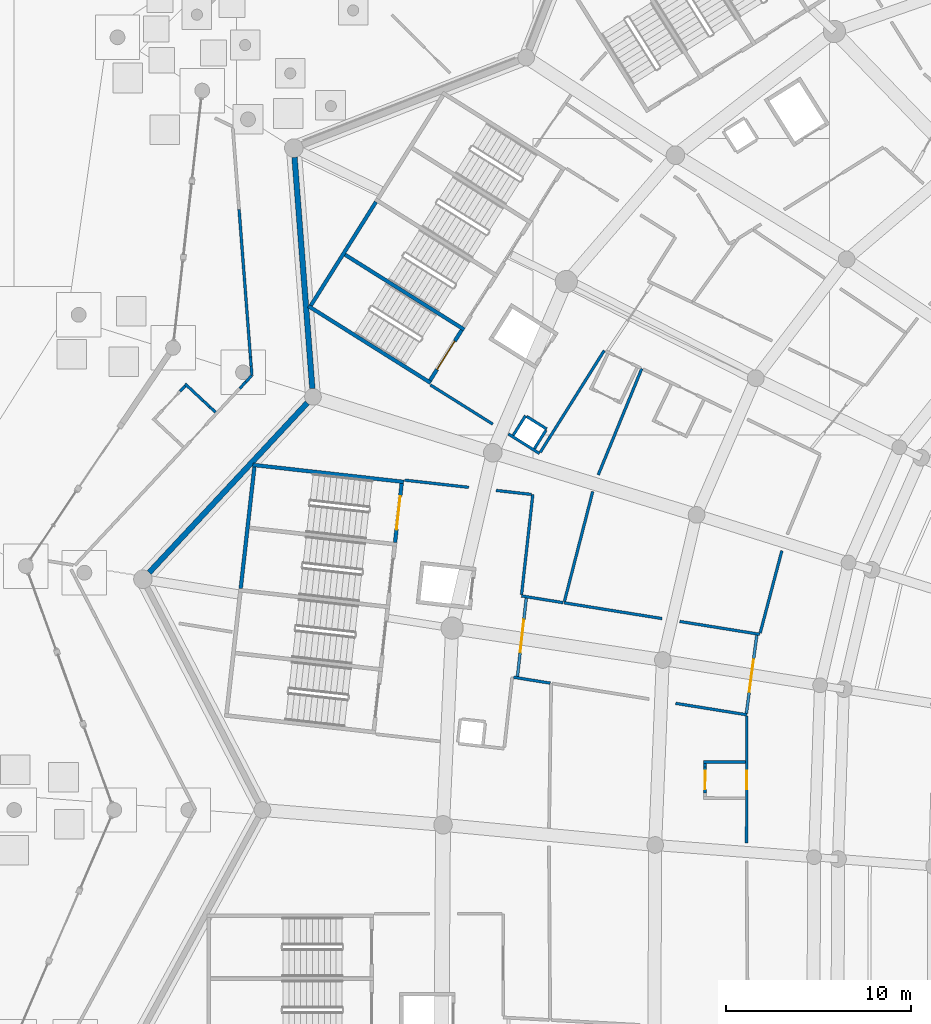
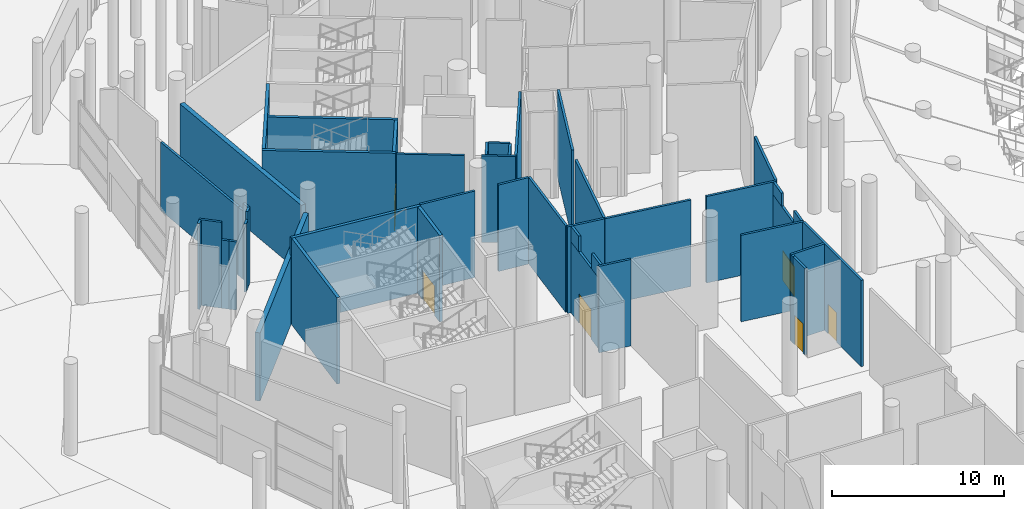
# One storey, part 135 of 255: 45 walls, 6 doors, 6 openings.
"""IFC4 building model written with IfcOpenShell, lengths in metres."""

from ifc_helpers import new_model, si_unit, direction, frame, frame_2d, origin, place, context, subcontext, project, spatial, rectangle, extrude, material, layer, layer_set, type_object, element, fill, save


model = new_model("IFC4")

# Units and contexts
model_context = context("Model", 3, precision=1e-05, world=origin(), true_north=direction((0.0, 1.0)))
body_context = subcontext(model_context, "Body", "Model", "MODEL_VIEW")
ifc_project = project(units=[si_unit("LENGTHUNIT", "METRE"), si_unit("AREAUNIT", "SQUARE_METRE"), si_unit("VOLUMEUNIT", "CUBIC_METRE"), si_unit("PLANEANGLEUNIT", "RADIAN"), si_unit("MASSUNIT", "GRAM", prefix="KILO")], contexts=[model_context])

# Site, building, storey
site_placement = place(None, origin())
site = spatial("IfcSite", under=ifc_project, at=site_placement, CompositionType="ELEMENT")
building_placement = place(site_placement, origin())
building = spatial("IfcBuilding", under=site, at=building_placement, Name="Meseta Stadium", CompositionType="ELEMENT")
storey_placement = place(building_placement, origin())
storey = spatial("IfcBuildingStorey", under=building, at=storey_placement, Name="L00", CompositionType="ELEMENT", Elevation=0.0)

# Walls
ifc_material_1 = material(Name="Concrete C40/50", Category="concrete")
ifc_layer_1 = layer(ifc_material_1, 0.199951171875)
ifc_layer_set_1 = layer_set([ifc_layer_1], Name="Core divider wall 200")
wall_type_1 = type_object("IfcWallType", Name="Core divider wall 200", PredefinedType="SHEAR", material=ifc_layer_set_1)
wall_1_placement = place(storey_placement, frame((-90.314453125, 73.8291015625, 0.0), z_axis=(0.0, 0.0, 1.0), x_axis=(0.846722763703, -0.532034361135, 0.0)))
element("IfcWall", 1, at=wall_1_placement, inside=storey, type_object=wall_type_1, Name="Core 14 L00 stair B divider wall", PredefinedType="SHEAR", context=body_context, shape_type="SweptSolid", body=[
    extrude(rectangle(XDim=7.800048828125, YDim=0.199951171875, at=frame_2d((3.89990234375, 0.0))), origin(), (0.0, 0.0, 1.0), 6.14990234375),
])
ifc_material_2 = material(Name="Concrete C40/50", Category="concrete")
ifc_layer_2 = layer(ifc_material_2, 0.199951171875)
ifc_layer_set_2 = layer_set([ifc_layer_2], Name="Core shaft wall 200")
wall_type_2 = type_object("IfcWallType", Name="Core shaft wall 200", PredefinedType="SHEAR", material=ifc_layer_set_2)
wall_2_placement = place(storey_placement, frame((-92.123291015625, 70.9501953125, 0.0), z_axis=(0.0, 0.0, 1.0), x_axis=(0.846722763703, -0.532034361135, 0.0)))
element("IfcWall", 2, at=wall_2_placement, inside=storey, type_object=wall_type_2, Name="Core 14 L00 stair wall B-side", PredefinedType="SHEAR", context=body_context, shape_type="SweptSolid", body=[
    extrude(rectangle(XDim=7.800048828125, YDim=0.199951171875, at=frame_2d((3.89990234375, 0.0))), origin(), (0.0, 0.0, 1.0), 6.14990234375),
])
wall_3_placement = place(storey_placement, frame((-88.47412109375, 76.570068359375, 0.0), z_axis=(0.0, 0.0, 1.0), x_axis=(-0.532038964807, -0.846719870989, 0.0)))
element("IfcWall", 3, at=wall_3_placement, inside=storey, type_object=wall_type_2, Name="Core 14 L00 stair B outer end wall", PredefinedType="SHEAR", context=body_context, shape_type="SweptSolid", body=[
    extrude(rectangle(XDim=6.60009765625, YDim=0.199951171875, at=frame_2d((3.300048828125, 0.0))), origin(), (0.0, 0.0, 1.0), 6.14990234375),
])

# Wall, opening, door
wall_4_placement = place(storey_placement, frame((-83.847900390625, 69.647705078125, 0.0), z_axis=(0.0, 0.0, 1.0), x_axis=(-0.532013720158, -0.846735733015, 0.0)))
wall_4 = element("IfcWall", 4, at=wall_4_placement, inside=storey, type_object=wall_type_2, Name="Core 14 L00 stair B2 inner end wall", PredefinedType="SHEAR", context=body_context, shape_type="SweptSolid", body=[
    extrude(rectangle(XDim=3.199951171875, YDim=0.199951171875, at=frame_2d((1.60009765625, 0.0))), origin(), (0.0, 0.0, 1.0), 6.14990234375),
])
opening_1_placement = place(wall_4_placement, frame((0.699951171875, 0.0, 0.0)))
opening_1 = element("IfcOpeningElement", 5, at=opening_1_placement, cuts=wall_4, Name="Opening D194", PredefinedType="OPENING", context=body_context, shape_type="SweptSolid", body=[
    extrude(rectangle(XDim=1.800048828125, YDim=2.10009765625, at=frame_2d((0.89990234375, 1.050048828125))), frame((0.0, 0.10986328125, 0.0), z_axis=(0.0, -1.0, 0.0), x_axis=(1.0, 0.0, 0.0)), (0.0, 0.0, 1.0), 0.219970703125),
])
ifc_material_3 = material(Name="Steel", Category="steel")
door_type_1 = type_object("IfcDoorType", Name="Stair door 1800x2100", OperationType="DOUBLE_DOOR_SINGLE_SWING", PredefinedType="DOOR", material=ifc_material_3)
door_1_placement = place(opening_1_placement, origin())
door_1 = element("IfcDoor", 6, at=door_1_placement, inside=storey, type_object=door_type_1, Name="Stair B2 door 14 L00", OperationType="DOUBLE_DOOR_SINGLE_SWING", OverallHeight=2.10009765625, OverallWidth=1.800048828125, PredefinedType="DOOR", context=body_context, shape_type="SweptSolid", body=[
    extrude(rectangle(XDim=1.800048828125, YDim=2.10009765625, at=frame_2d((0.89990234375, 1.050048828125))), frame((0.0, 0.02490234375, 0.0), z_axis=(0.0, -1.0, 0.0), x_axis=(1.0, 0.0, 0.0)), (0.0, 0.0, 1.0), 0.050048828125),
])
fill(opening_1, door_1)

# Walls
wall_5_placement = place(storey_placement, frame((-95.123046875, 62.3779296875, 0.0), z_axis=(0.0, 0.0, 1.0), x_axis=(0.993710792168, -0.111977058046, 0.0)))
element("IfcWall", 7, at=wall_5_placement, inside=storey, type_object=wall_type_2, Name="Core 15 L00 stair wall A-side", PredefinedType="SHEAR", context=body_context, shape_type="SweptSolid", body=[
    extrude(rectangle(XDim=8.199951171875, YDim=0.199951171875, at=frame_2d((4.10009765625, 0.0))), origin(), (0.0, 0.0, 1.0), 6.14990234375),
])
wall_6_placement = place(storey_placement, frame((-95.034912109375, 62.267333984375, 0.0), z_axis=(0.0, 0.0, 1.0), x_axis=(-0.111933579504, -0.993715690617, 0.0)))
element("IfcWall", 8, at=wall_6_placement, inside=storey, type_object=wall_type_2, Name="Core 15 L00 stair A outer end wall", PredefinedType="SHEAR", context=body_context, shape_type="SweptSolid", body=[
    extrude(rectangle(XDim=6.60009765625, YDim=0.199951171875, at=frame_2d((3.300048828125, 0.0))), origin(), (0.0, 0.0, 1.0), 6.14990234375),
])

# Wall, opening, door
wall_7_placement = place(storey_placement, frame((-87.085205078125, 61.37158203125, 0.0), z_axis=(0.0, 0.0, 1.0), x_axis=(-0.11192190762, -0.993717005286, 0.0)))
wall_7 = element("IfcWall", 9, at=wall_7_placement, inside=storey, type_object=wall_type_2, Name="Core 15 L00 stair A1 inner end wall", PredefinedType="SHEAR", context=body_context, shape_type="SweptSolid", body=[
    extrude(rectangle(XDim=3.199951171875, YDim=0.199951171875, at=frame_2d((1.60009765625, 0.0))), origin(), (0.0, 0.0, 1.0), 6.14990234375),
])
opening_2_placement = place(wall_7_placement, frame((0.699951171875, 0.0, 0.0)))
opening_2 = element("IfcOpeningElement", 10, at=opening_2_placement, cuts=wall_7, Name="Opening D203", PredefinedType="OPENING", context=body_context, shape_type="SweptSolid", body=[
    extrude(rectangle(XDim=1.800048828125, YDim=2.10009765625, at=frame_2d((0.89990234375, 1.050048828125))), frame((0.0, 0.10986328125, 0.0), z_axis=(0.0, -1.0, 0.0), x_axis=(1.0, 0.0, 0.0)), (0.0, 0.0, 1.0), 0.219970703125),
])
door_2_placement = place(opening_2_placement, origin())
door_2 = element("IfcDoor", 11, at=door_2_placement, inside=storey, type_object=door_type_1, Name="Stair A1 door 15 L00", OperationType="DOUBLE_DOOR_SINGLE_SWING", OverallHeight=2.10009765625, OverallWidth=1.800048828125, PredefinedType="DOOR", context=body_context, shape_type="SweptSolid", body=[
    extrude(rectangle(XDim=1.800048828125, YDim=2.10009765625, at=frame_2d((0.89990234375, 1.050048828125))), frame((0.0, 0.02490234375, 0.0), z_axis=(0.0, -1.0, 0.0), x_axis=(1.0, 0.0, 0.0)), (0.0, 0.0, 1.0), 0.050048828125),
])
fill(opening_2, door_2)

# Walls
ifc_material_4 = material(Name="Masonry blockwork", Category="masonry")
ifc_layer_3 = layer(ifc_material_4, 0.14990234375)
ifc_layer_set_3 = layer_set([ifc_layer_3], Name="Partition 150")
wall_type_3 = type_object("IfcWallType", Name="Partition 150", PredefinedType="PARTITIONING", material=ifc_layer_set_3)
wall_8_placement = place(storey_placement, frame((-67.75537109375, 53.232177734375, 0.0), z_axis=(0.0, 0.0, 1.0), x_axis=(-0.987284923189, 0.15896062545, 0.0)))
element("IfcWall", 12, at=wall_8_placement, inside=storey, type_object=wall_type_3, Name="Partition L00 L00-cell13-1-0", PredefinedType="PARTITIONING", context=body_context, shape_type="SweptSolid", body=[
    extrude(rectangle(XDim=4.377197265625, YDim=0.14990234375, at=frame_2d((2.1884765625, 0.0))), origin(), (0.0, 0.0, 1.0), 6.14990234375),
])
wall_9_placement = place(storey_placement, frame((-73.037353515625, 54.082763671875, 0.0), z_axis=(0.0, 0.0, 1.0), x_axis=(-0.987272342861, 0.159038740634, 0.0)))
element("IfcWall", 13, at=wall_9_placement, inside=storey, type_object=wall_type_3, Name="Partition L00 L00-cell13-1-0", PredefinedType="PARTITIONING", context=body_context, shape_type="SweptSolid", body=[
    extrude(rectangle(XDim=5.349853515625, YDim=0.14990234375, at=frame_2d((2.6748046875, 0.0))), origin(), (0.0, 0.0, 1.0), 6.14990234375),
])
wall_10_placement = place(storey_placement, frame((-78.300537109375, 55.00634765625, 0.0), z_axis=(0.0, 0.0, 1.0), x_axis=(0.249144697435, 0.968466271865, 0.0)))
element("IfcWall", 14, at=wall_10_placement, inside=storey, type_object=wall_type_3, Name="Partition L00 L00-cell13-1-0", PredefinedType="PARTITIONING", context=body_context, shape_type="SweptSolid", body=[
    extrude(rectangle(XDim=6.12255859375, YDim=0.14990234375, at=frame_2d((3.061279296875, 0.0))), origin(), (0.0, 0.0, 1.0), 6.14990234375),
])
wall_11_placement = place(storey_placement, frame((-76.4755859375, 61.8388671875, 0.0), z_axis=(0.0, 0.0, 1.0), x_axis=(0.3791112098, 0.92535111747, 0.0)))
element("IfcWall", 15, at=wall_11_placement, inside=storey, type_object=wall_type_3, Name="Partition L00 L00-cell13-1-0", PredefinedType="PARTITIONING", context=body_context, shape_type="SweptSolid", body=[
    extrude(rectangle(XDim=6.19970703125, YDim=0.14990234375, at=frame_2d((3.099853515625, 0.0))), origin(), (0.0, 0.0, 1.0), 6.14990234375),
])
wall_12_placement = place(storey_placement, frame((-66.5654296875, 57.7451171875, 0.0), z_axis=(0.0, 0.0, 1.0), x_axis=(-0.254938171393, -0.96695735623, 0.0)))
element("IfcWall", 16, at=wall_12_placement, inside=storey, type_object=wall_type_3, Name="Partition L00 L00-cell13-1-0", PredefinedType="PARTITIONING", context=body_context, shape_type="SweptSolid", body=[
    extrude(rectangle(XDim=4.591796875, YDim=0.14990234375, at=frame_2d((2.2958984375, 0.0))), origin(), (0.0, 0.0, 1.0), 6.14990234375),
])
wall_13_placement = place(storey_placement, frame((-78.36865234375, 54.94140625, 0.0), z_axis=(0.0, 0.0, 1.0), x_axis=(-0.987271996108, 0.15904089317, 0.0)))
element("IfcWall", 17, at=wall_13_placement, inside=storey, type_object=wall_type_3, Name="Partition L00 L00-cell13-2-0", PredefinedType="PARTITIONING", context=body_context, shape_type="SweptSolid", body=[
    extrude(rectangle(XDim=2.2841796875, YDim=0.14990234375, at=frame_2d((1.14208984375, 0.0))), origin(), (0.0, 0.0, 1.0), 6.14990234375),
])
wall_14_placement = place(storey_placement, frame((-80.615478515625, 55.379150390625, 0.0), z_axis=(0.0, 0.0, 1.0), x_axis=(0.111990669248, 0.993709258285, 0.0)))
element("IfcWall", 18, at=wall_14_placement, inside=storey, type_object=wall_type_3, Name="Partition L00 L00-cell13-2-0", PredefinedType="PARTITIONING", context=body_context, shape_type="SweptSolid", body=[
    extrude(rectangle(XDim=5.430419921875, YDim=0.14990234375, at=frame_2d((2.71533203125, 0.0))), origin(), (0.0, 0.0, 1.0), 6.14990234375),
])
wall_15_placement = place(storey_placement, frame((-80.081787109375, 60.78369140625, 0.0), z_axis=(0.0, 0.0, 1.0), x_axis=(-0.993706666168, 0.112013667081, 0.0)))
element("IfcWall", 19, at=wall_15_placement, inside=storey, type_object=wall_type_3, Name="Partition L00 L00-cell13-2-0", PredefinedType="PARTITIONING", context=body_context, shape_type="SweptSolid", body=[
    extrude(rectangle(XDim=1.91357421875, YDim=0.14990234375, at=frame_2d((0.956787109375, 0.0))), origin(), (0.0, 0.0, 1.0), 6.14990234375),
])
wall_16_placement = place(storey_placement, frame((-83.465576171875, 61.1650390625, 0.0), z_axis=(0.0, 0.0, 1.0), x_axis=(-0.993711425552, 0.111971437107, 0.0)))
element("IfcWall", 20, at=wall_16_placement, inside=storey, type_object=wall_type_3, Name="Partition L00 L00-cell13-2-0", PredefinedType="PARTITIONING", context=body_context, shape_type="SweptSolid", body=[
    extrude(rectangle(XDim=3.47998046875, YDim=0.14990234375, at=frame_2d((1.739990234375, 0.0))), origin(), (0.0, 0.0, 1.0), 6.14990234375),
])
wall_17_placement = place(storey_placement, frame((-85.5380859375, 66.694580078125, 0.0), z_axis=(0.0, 0.0, 1.0), x_axis=(0.84671635408, -0.532044561793, 0.0)))
element("IfcWall", 21, at=wall_17_placement, inside=storey, type_object=wall_type_3, Name="Partition L00 L00-cell13-2-0", PredefinedType="PARTITIONING", context=body_context, shape_type="SweptSolid", body=[
    extrude(rectangle(XDim=3.97705078125, YDim=0.14990234375, at=frame_2d((1.988525390625, 0.0))), origin(), (0.0, 0.0, 1.0), 6.14990234375),
])
wall_18_placement = place(storey_placement, frame((-81.328857421875, 64.049560546875, 0.0), z_axis=(0.0, 0.0, 1.0), x_axis=(0.84670607735, -0.532060916229, 0.0)))
element("IfcWall", 22, at=wall_18_placement, inside=storey, type_object=wall_type_3, Name="Partition L00 L00-cell13-2-0", PredefinedType="PARTITIONING", context=body_context, shape_type="SweptSolid", body=[
    extrude(rectangle(XDim=1.98876953125, YDim=0.14990234375, at=frame_2d((0.994384765625, 0.0))), origin(), (0.0, 0.0, 1.0), 6.14990234375),
])
wall_19_placement = place(storey_placement, frame((-79.605224609375, 63.054931640625, 0.0), z_axis=(0.0, 0.0, 1.0), x_axis=(0.532032873767, 0.846723698281, 0.0)))
element("IfcWall", 23, at=wall_19_placement, inside=storey, type_object=wall_type_3, Name="Partition L00 L00-cell13-2-0", PredefinedType="PARTITIONING", context=body_context, shape_type="SweptSolid", body=[
    extrude(rectangle(XDim=6.490478515625, YDim=0.14990234375, at=frame_2d((3.2451171875, 0.0))), origin(), (0.0, 0.0, 1.0), 6.14990234375),
])
wall_20_placement = place(storey_placement, frame((-72.29638671875, 49.5068359375, 0.0), z_axis=(0.0, 0.0, 1.0), x_axis=(0.987278004814, -0.159003588674, 0.0)))
element("IfcWall", 24, at=wall_20_placement, inside=storey, type_object=wall_type_3, Name="Partition L00 L00-cell14-1-0", PredefinedType="PARTITIONING", context=body_context, shape_type="SweptSolid", body=[
    extrude(rectangle(XDim=3.890869140625, YDim=0.14990234375, at=frame_2d((1.9453125, 0.0))), origin(), (0.0, 0.0, 1.0), 6.14990234375),
])

# Wall, opening, door
wall_21_placement = place(storey_placement, frame((-68.455078125, 48.81201171875, 0.0), z_axis=(0.0, 0.0, 1.0), x_axis=(-0.001928774496, -0.999998139913, 0.0)))
wall_21 = element("IfcWall", 25, at=wall_21_placement, inside=storey, type_object=wall_type_3, Name="Partition L00 L00-cell14-1-0", PredefinedType="PARTITIONING", context=body_context, shape_type="SweptSolid", body=[
    extrude(rectangle(XDim=6.835205078125, YDim=0.14990234375, at=frame_2d((3.41748046875, 0.0))), origin(), (0.0, 0.0, 1.0), 6.14990234375),
])
opening_3_placement = place(wall_21_placement, frame((2.949951171875, 0.0, 0.0)))
opening_3 = element("IfcOpeningElement", 26, at=opening_3_placement, cuts=wall_21, Name="Opening D576", PredefinedType="OPENING", context=body_context, shape_type="SweptSolid", body=[
    extrude(rectangle(XDim=1.0, YDim=2.10009765625, at=frame_2d((0.5, 1.050048828125))), frame((0.0, 0.0849609375, 0.0), z_axis=(0.0, -1.0, 0.0), x_axis=(1.0, 0.0, 0.0)), (0.0, 0.0, 1.0), 0.169921875),
])
ifc_material_5 = material(Name="Steel", Category="steel")
door_type_2 = type_object("IfcDoorType", Name="Fire door 1000x2100 EI2 60", OperationType="NOTDEFINED", PredefinedType="DOOR", material=ifc_material_5)
door_3_placement = place(opening_3_placement, origin())
door_3 = element("IfcDoor", 27, at=door_3_placement, inside=storey, type_object=door_type_2, Name="Door D576", OperationType="SINGLE_SWING_LEFT", OverallHeight=2.10009765625, OverallWidth=1.0, PredefinedType="DOOR", context=body_context, shape_type="SweptSolid", body=[
    extrude(rectangle(XDim=1.0, YDim=2.10009765625, at=frame_2d((0.5, 1.050048828125))), frame((0.0, 0.02490234375, 0.0), z_axis=(0.0, -1.0, 0.0), x_axis=(1.0, 0.0, 0.0)), (0.0, 0.0, 1.0), 0.050048828125),
])
fill(opening_3, door_3)

# Walls
wall_22_placement = place(storey_placement, frame((-81.042724609375, 50.915283203125, 0.0), z_axis=(0.0, 0.0, 1.0), x_axis=(0.987289357967, -0.158933079139, 0.0)))
element("IfcWall", 28, at=wall_22_placement, inside=storey, type_object=wall_type_3, Name="Partition L00 L00-cell14-2-0", PredefinedType="PARTITIONING", context=body_context, shape_type="SweptSolid", body=[
    extrude(rectangle(XDim=2.0, YDim=0.14990234375, at=frame_2d((1.0, 0.0))), origin(), (0.0, 0.0, 1.0), 6.14990234375),
])
wall_23_placement = place(storey_placement, frame((-95.8623046875, 76.159912109375, 0.0), z_axis=(0.0, 0.0, 1.0), x_axis=(0.076946737073, -0.997035204822, 0.0)))
element("IfcWall", 29, at=wall_23_placement, inside=storey, type_object=wall_type_3, Name="Partition L00 L00-ring13-0", PredefinedType="PARTITIONING", context=body_context, shape_type="SweptSolid", body=[
    extrude(rectangle(XDim=7.98291015625, YDim=0.14990234375, at=frame_2d((3.991455078125, 0.0))), origin(), (0.0, 0.0, 1.0), 4.85009765625),
])
wall_24_placement = place(storey_placement, frame((-95.248046875, 68.20068359375, 0.0), z_axis=(0.0, 0.0, 1.0), x_axis=(0.076808732966, -0.997045845756, 0.0)))
element("IfcWall", 30, at=wall_24_placement, inside=storey, type_object=wall_type_3, Name="Partition L00 L00-ring13-0", PredefinedType="PARTITIONING", context=body_context, shape_type="SweptSolid", body=[
    extrude(rectangle(XDim=0.4990234375, YDim=0.14990234375, at=frame_2d((0.24951171875, 0.0))), origin(), (0.0, 0.0, 1.0), 4.85009765625),
])
wall_25_placement = place(storey_placement, frame((-95.209716796875, 67.703125, 0.0), z_axis=(0.0, 0.0, 1.0), x_axis=(0.076846217139, -0.997042957405, 0.0)))
element("IfcWall", 31, at=wall_25_placement, inside=storey, type_object=wall_type_3, Name="Partition L00 L00-ring13-0", PredefinedType="PARTITIONING", context=body_context, shape_type="SweptSolid", body=[
    extrude(rectangle(XDim=0.498779296875, YDim=0.14990234375, at=frame_2d((0.24951171875, 0.0))), origin(), (0.0, 0.0, 1.0), 5.39990234375),
])
wall_26_placement = place(storey_placement, frame((-95.17138671875, 67.205810546875, 0.0), z_axis=(0.0, 0.0, 1.0), x_axis=(-0.68165183319, -0.73167668974, 0.0)))
element("IfcWall", 32, at=wall_26_placement, inside=storey, type_object=wall_type_3, Name="Partition L00 L00-ring13-0", PredefinedType="PARTITIONING", context=body_context, shape_type="SweptSolid", body=[
    extrude(rectangle(XDim=0.483154296875, YDim=0.14990234375, at=frame_2d((0.24169921875, 0.0))), origin(), (0.0, 0.0, 1.0), 5.39990234375),
])
wall_27_placement = place(storey_placement, frame((-95.500732421875, 66.852294921875, 0.0), z_axis=(0.0, 0.0, 1.0), x_axis=(-0.681903904456, -0.731441771495, 0.0)))
element("IfcWall", 33, at=wall_27_placement, inside=storey, type_object=wall_type_3, Name="Partition L00 L00-ring13-0", PredefinedType="PARTITIONING", context=body_context, shape_type="SweptSolid", body=[
    extrude(rectangle(XDim=0.48291015625, YDim=0.14990234375, at=frame_2d((0.241455078125, 0.0))), origin(), (0.0, 0.0, 1.0), 4.85009765625),
])
wall_28_placement = place(storey_placement, frame((-80.400634765625, 65.03125, 0.0), z_axis=(0.0, 0.0, 1.0), x_axis=(-0.532035438589, -0.846722086688, 0.0)))
element("IfcWall", 34, at=wall_28_placement, inside=storey, type_object=wall_type_3, Name="Pressurisation shaft wall L00 core 14", PredefinedType="PARTITIONING", context=body_context, shape_type="SweptSolid", body=[
    extrude(rectangle(XDim=1.2490234375, YDim=0.14990234375, at=frame_2d((0.62451171875, 0.0))), origin(), (0.0, 0.0, 1.0), 6.14990234375),
])
wall_29_placement = place(storey_placement, frame((-79.922119140625, 63.25537109375, 0.0), z_axis=(0.0, 0.0, 1.0), x_axis=(0.531941549268, 0.846781074518, 0.0)))
element("IfcWall", 35, at=wall_29_placement, inside=storey, type_object=wall_type_3, Name="Pressurisation shaft wall L00 core 14", PredefinedType="PARTITIONING", context=body_context, shape_type="SweptSolid", body=[
    extrude(rectangle(XDim=1.174072265625, YDim=0.14990234375, at=frame_2d((0.5869140625, 0.0))), origin(), (0.0, 0.0, 1.0), 6.14990234375),
])
wall_30_placement = place(storey_placement, frame((-79.257568359375, 64.31298828125, 0.0), z_axis=(0.0, 0.0, 1.0), x_axis=(-0.846769635862, 0.531959757672, 0.0)))
element("IfcWall", 36, at=wall_30_placement, inside=storey, type_object=wall_type_3, Name="Pressurisation shaft wall L00 core 14", PredefinedType="PARTITIONING", context=body_context, shape_type="SweptSolid", body=[
    extrude(rectangle(XDim=1.27490234375, YDim=0.14990234375, at=frame_2d((0.637451171875, 0.0))), origin(), (0.0, 0.0, 1.0), 6.14990234375),
])
wall_31_placement = place(storey_placement, frame((-68.534912109375, 46.337158203125, 0.0), z_axis=(0.0, 0.0, 1.0), x_axis=(-0.999998092657, 0.001953121275, 0.0)))
element("IfcWall", 37, at=wall_31_placement, inside=storey, type_object=wall_type_3, Name="Partition L00 L00-cell14-1-0 vestibule", PredefinedType="PARTITIONING", context=body_context, shape_type="SweptSolid", body=[
    extrude(rectangle(XDim=2.25, YDim=0.14990234375, at=frame_2d((1.125, 0.0))), origin(), (0.0, 0.0, 1.0), 6.14990234375),
])
wall_32_placement = place(storey_placement, frame((-70.7099609375, 46.266357421875, 0.0), z_axis=(0.0, 0.0, 1.0), x_axis=(-0.002441995161, -0.999997018325, 0.0)))
element("IfcWall", 38, at=wall_32_placement, inside=storey, type_object=wall_type_3, Name="Partition L00 L00-cell14-1-0 vestibule", PredefinedType="PARTITIONING", context=body_context, shape_type="SweptSolid", body=[
    extrude(rectangle(XDim=0.199951171875, YDim=0.14990234375, at=frame_2d((0.10009765625, 0.0))), origin(), (0.0, 0.0, 1.0), 6.14990234375),
])

# Wall, opening, door
wall_33_placement = place(storey_placement, frame((-70.71044921875, 46.06640625, 0.0), z_axis=(0.0, 0.0, 1.0), x_axis=(-0.001918378054, -0.999998159911, 0.0)))
wall_33 = element("IfcWall", 39, at=wall_33_placement, inside=storey, type_object=wall_type_3, Name="Partition L00 L00-cell14-1-0 vestibule", PredefinedType="PARTITIONING", context=body_context, shape_type="SweptSolid", body=[
    extrude(rectangle(XDim=1.39990234375, YDim=0.14990234375, at=frame_2d((0.699951171875, 0.0))), origin(), (0.0, 0.0, 1.0), 6.14990234375),
])
opening_4_placement = place(wall_33_placement, frame((0.199951171875, 0.0, 0.0)))
opening_4 = element("IfcOpeningElement", 40, at=opening_4_placement, cuts=wall_33, Name="Opening D844", PredefinedType="OPENING", context=body_context, shape_type="SweptSolid", body=[
    extrude(rectangle(XDim=1.0, YDim=2.10009765625, at=frame_2d((0.5, 1.050048828125))), frame((0.0, 0.0849609375, 0.0), z_axis=(0.0, -1.0, 0.0), x_axis=(1.0, 0.0, 0.0)), (0.0, 0.0, 1.0), 0.169921875),
])
door_4_placement = place(opening_4_placement, origin())
door_4 = element("IfcDoor", 41, at=door_4_placement, inside=storey, type_object=door_type_2, Name="Vestibule door L00 L00-cell14-1-0", OperationType="SINGLE_SWING_RIGHT", OverallHeight=2.10009765625, OverallWidth=1.0, PredefinedType="DOOR", context=body_context, shape_type="SweptSolid", body=[
    extrude(rectangle(XDim=1.0, YDim=2.10009765625, at=frame_2d((0.5, 1.050048828125))), frame((0.0, 0.02490234375, 0.0), z_axis=(0.0, -1.0, 0.0), x_axis=(1.0, 0.0, 0.0)), (0.0, 0.0, 1.0), 0.050048828125),
])
fill(opening_4, door_4)

# Walls
for number, where, z_axis, x_axis, name in (
    (42, (-97.129150390625, 65.215087890625, 0.0), (0.0, 0.0, 1.0), (-0.731361911, 0.681989556474, 0.0), "Partition L00 L00-ring13-0 vestibule"),
    (43, (-97.458251953125, 65.52197265625, 0.0), (0.0, 0.0, 1.0), (-0.73188464408, 0.68142854927, 0.0), "Partition L00 L00-ring13-0 vestibule"),
):
    element("IfcWall", number, at=place(storey_placement, frame(where, z_axis=z_axis, x_axis=x_axis)), inside=storey, type_object=wall_type_3, Name=name, PredefinedType="PARTITIONING", context=body_context, shape_type="SweptSolid", body=[
        extrude(rectangle(XDim=0.449951171875, YDim=0.14990234375, at=frame_2d((0.22509765625, 0.0))), origin(), (0.0, 0.0, 1.0), 4.85009765625),
    ])
wall_34_placement = place(storey_placement, frame((-97.78759765625, 65.82861328125, 0.0), z_axis=(0.0, 0.0, 1.0), x_axis=(-0.731536206298, 0.681802595239, 0.0)))
element("IfcWall", 44, at=wall_34_placement, inside=storey, type_object=wall_type_3, Name="Partition L00 L00-ring13-0 vestibule", PredefinedType="PARTITIONING", context=body_context, shape_type="SweptSolid", body=[
    extrude(rectangle(XDim=1.349853515625, YDim=0.14990234375, at=frame_2d((0.6748046875, 0.0))), origin(), (0.0, 0.0, 1.0), 6.10009765625),
])
wall_35_placement = place(storey_placement, frame((-98.771484375, 66.64306640625, 0.0), z_axis=(0.0, 0.0, 1.0), x_axis=(-0.681948372008, -0.73140031304, 0.0)))
element("IfcWall", 45, at=wall_35_placement, inside=storey, type_object=wall_type_3, Name="Partition L00 L00-ring13-0 vestibule", PredefinedType="PARTITIONING", context=body_context, shape_type="SweptSolid", body=[
    extrude(rectangle(XDim=0.39990234375, YDim=0.14990234375, at=frame_2d((0.199951171875, 0.0))), origin(), (0.0, 0.0, 1.0), 6.10009765625),
])

# Wall, opening, door
wall_36_placement = place(storey_placement, frame((-80.36083984375, 55.181640625, 0.0), z_axis=(0.0, 0.0, 1.0), x_axis=(-0.11195873686, -0.993712856534, 0.0)))
wall_36 = element("IfcWall", 46, at=wall_36_placement, inside=storey, type_object=wall_type_3, Name="Escape corridor sector wall L00 core 15", PredefinedType="PARTITIONING", context=body_context, shape_type="SweptSolid", body=[
    extrude(rectangle(XDim=4.24560546875, YDim=0.14990234375, at=frame_2d((2.122802734375, 0.0))), origin(), (0.0, 0.0, 1.0), 5.050048828125),
])
opening_5_placement = place(wall_36_placement, frame((1.14990234375, 0.0, 0.0)))
opening_5 = element("IfcOpeningElement", 47, at=opening_5_placement, cuts=wall_36, Name="Opening D419", PredefinedType="OPENING", context=body_context, shape_type="SweptSolid", body=[
    extrude(rectangle(XDim=1.800048828125, YDim=2.10009765625, at=frame_2d((0.89990234375, 1.050048828125))), frame((0.0, 0.0849609375, 0.0), z_axis=(0.0, -1.0, 0.0), x_axis=(1.0, 0.0, 0.0)), (0.0, 0.0, 1.0), 0.169921875),
])
ifc_material_6 = material(Name="Steel", Category="steel")
door_type_3 = type_object("IfcDoorType", Name="Fire double door 1800x2100 EI2 60", OperationType="DOUBLE_DOOR_SINGLE_SWING", PredefinedType="DOOR", material=ifc_material_6)
door_5_placement = place(opening_5_placement, origin())
door_5 = element("IfcDoor", 48, at=door_5_placement, inside=storey, type_object=door_type_3, Name="Escape corridor door EC15-1", OperationType="DOUBLE_DOOR_SINGLE_SWING", OverallHeight=2.10009765625, OverallWidth=1.800048828125, PredefinedType="DOOR", context=body_context, shape_type="SweptSolid", body=[
    extrude(rectangle(XDim=1.800048828125, YDim=2.10009765625, at=frame_2d((0.89990234375, 1.050048828125))), frame((0.0, 0.02490234375, 0.0), z_axis=(0.0, -1.0, 0.0), x_axis=(1.0, 0.0, 0.0)), (0.0, 0.0, 1.0), 0.050048828125),
])
fill(opening_5, door_5)

# Walls
wall_37_placement = place(storey_placement, frame((-80.36083984375, 55.181640625, 5.050048828125), z_axis=(0.0, 0.0, 1.0), x_axis=(-0.112087924477, -0.993698292837, 0.0)))
element("IfcWall", 49, at=wall_37_placement, inside=storey, type_object=wall_type_3, Name="Escape corridor sector wall L00 core 15", PredefinedType="PARTITIONING", context=body_context, shape_type="SweptSolid", body=[
    extrude(rectangle(XDim=1.099853515625, YDim=0.14990234375, at=frame_2d((0.5498046875, 0.0))), origin(), (0.0, 0.0, 1.0), 1.099853515625),
])
wall_38_placement = place(storey_placement, frame((-80.69677734375, 52.20068359375, 5.050048828125), z_axis=(0.0, 0.0, 1.0), x_axis=(-0.111893947534, -0.99372015402, 0.0)))
element("IfcWall", 50, at=wall_38_placement, inside=storey, type_object=wall_type_3, Name="Escape corridor sector wall L00 core 15", PredefinedType="PARTITIONING", context=body_context, shape_type="SweptSolid", body=[
    extrude(rectangle(XDim=1.245849609375, YDim=0.14990234375, at=frame_2d((0.623046875, 0.0))), origin(), (0.0, 0.0, 1.0), 1.099853515625),
])

# Wall, opening, door
wall_39_placement = place(storey_placement, frame((-67.91748046875, 53.17919921875, 0.0), z_axis=(0.0, 0.0, 1.0), x_axis=(-0.132608183306, -0.991168537495, 0.0)))
wall_39 = element("IfcWall", 51, at=wall_39_placement, inside=storey, type_object=wall_type_3, Name="Escape corridor discharge wall L00 core 15", PredefinedType="PARTITIONING", context=body_context, shape_type="SweptSolid", body=[
    extrude(rectangle(XDim=4.24560546875, YDim=0.14990234375, at=frame_2d((2.122802734375, 0.0))), origin(), (0.0, 0.0, 1.0), 5.25),
])
opening_6_placement = place(wall_39_placement, frame((1.29541015625, 0.0, 0.0)))
opening_6 = element("IfcOpeningElement", 52, at=opening_6_placement, cuts=wall_39, Name="Opening D391", PredefinedType="OPENING", context=body_context, shape_type="SweptSolid", body=[
    extrude(rectangle(XDim=1.800048828125, YDim=2.10009765625, at=frame_2d((0.89990234375, 1.050048828125))), frame((0.0, 0.0849609375, 0.0), z_axis=(0.0, -1.0, 0.0), x_axis=(1.0, 0.0, 0.0)), (0.0, 0.0, 1.0), 0.169921875),
])
door_6_placement = place(opening_6_placement, origin())
door_6 = element("IfcDoor", 53, at=door_6_placement, inside=storey, type_object=door_type_3, Name="Stair discharge door SD15-1", OperationType="DOUBLE_DOOR_SINGLE_SWING", OverallHeight=2.10009765625, OverallWidth=1.800048828125, PredefinedType="DOOR", context=body_context, shape_type="SweptSolid", body=[
    extrude(rectangle(XDim=1.800048828125, YDim=2.10009765625, at=frame_2d((0.89990234375, 1.050048828125))), frame((0.0, 0.02490234375, 0.0), z_axis=(0.0, -1.0, 0.0), x_axis=(1.0, 0.0, 0.0)), (0.0, 0.0, 1.0), 0.050048828125),
])
fill(opening_6, door_6)

# Walls
wall_40_placement = place(storey_placement, frame((-68.334716796875, 50.0615234375, 5.25), z_axis=(0.0, 0.0, 1.0), x_axis=(-0.132498076065, -0.991183262489, 0.0)))
element("IfcWall", 54, at=wall_40_placement, inside=storey, type_object=wall_type_3, Name="Escape corridor discharge wall L00 core 15", PredefinedType="PARTITIONING", context=body_context, shape_type="SweptSolid", body=[
    extrude(rectangle(XDim=1.10009765625, YDim=0.14990234375, at=frame_2d((0.550048828125, 0.0))), origin(), (0.0, 0.0, 1.0), 0.89990234375),
])
wall_41_placement = place(storey_placement, frame((-67.91748046875, 53.17919921875, 5.25), z_axis=(0.0, 0.0, 1.0), x_axis=(-0.132690069344, -0.99115757854, 0.0)))
element("IfcWall", 55, at=wall_41_placement, inside=storey, type_object=wall_type_3, Name="Escape corridor discharge wall L00 core 15", PredefinedType="PARTITIONING", context=body_context, shape_type="SweptSolid", body=[
    extrude(rectangle(XDim=1.24560546875, YDim=0.14990234375, at=frame_2d((0.622802734375, 0.0))), origin(), (0.0, 0.0, 1.0), 0.89990234375),
])
ifc_material_7 = material(Name="White precast concrete C40/50", Category="concrete")
ifc_layer_4 = layer(ifc_material_7, 0.300048828125)
ifc_layer_set_4 = layer_set([ifc_layer_4], Name="Pleated panel wall 300 concourse")
wall_type_4 = type_object("IfcWallType", Name="Pleated panel wall 300 concourse", PredefinedType="SOLIDWALL", material=ifc_layer_set_4)
for number, where, z_axis, x_axis, name in (
    (56, (-91.9072265625, 66.499755859375, 0.0), (0.0, 0.0, 1.0), (-0.076945644854, 0.997035289114, 0.0), "Pleated facade panel L00 F26"),
    (57, (-100.711181640625, 56.568115234375, 0.0), (0.0, 0.0, 1.0), (0.681794658463, 0.731543603411, 0.0), "Pleated facade panel L00 F27"),
):
    element("IfcWall", number, at=place(storey_placement, frame(where, z_axis=z_axis, x_axis=x_axis)), inside=storey, type_object=wall_type_4, Name=name, PredefinedType="SOLIDWALL", context=body_context, shape_type="SweptSolid", body=[
        extrude(rectangle(XDim=12.513916015625, YDim=0.300048828125, at=frame_2d((6.2568359375, 0.0))), origin(), (0.0, 0.0, 1.0), 4.85009765625),
    ])

save(model, "model.ifc")
